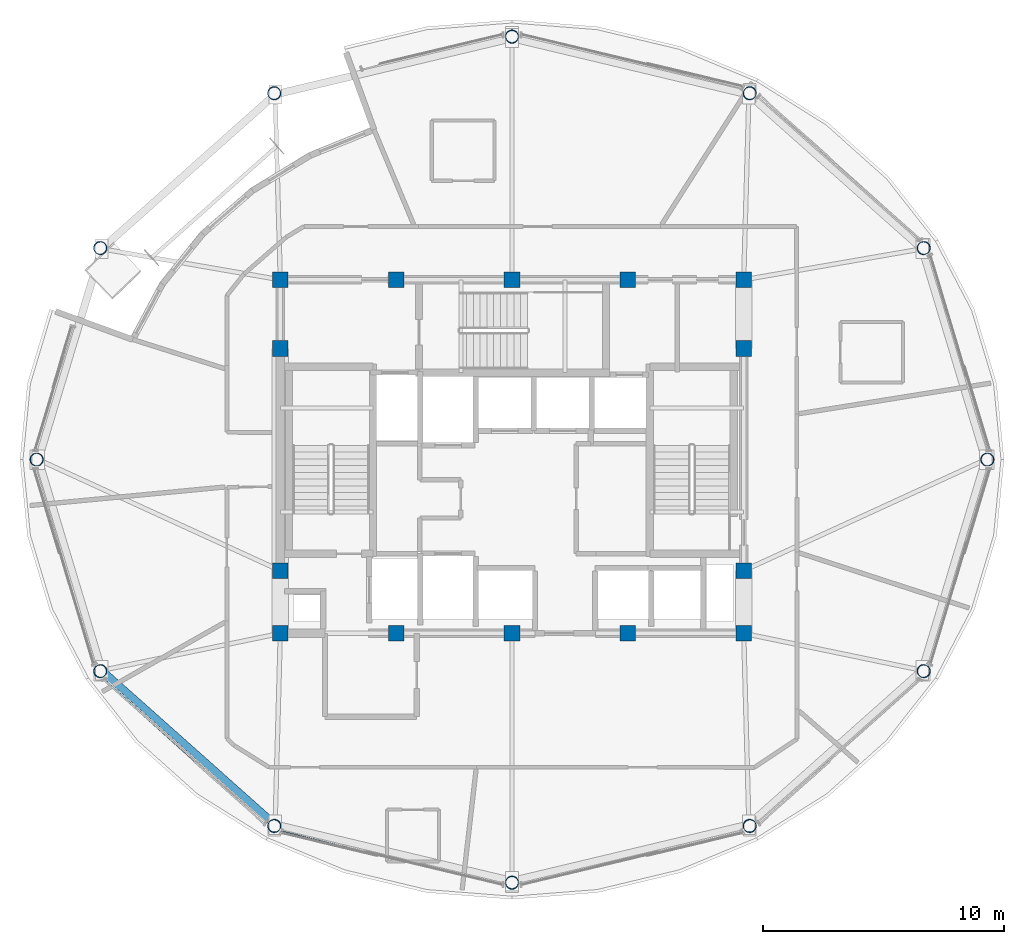
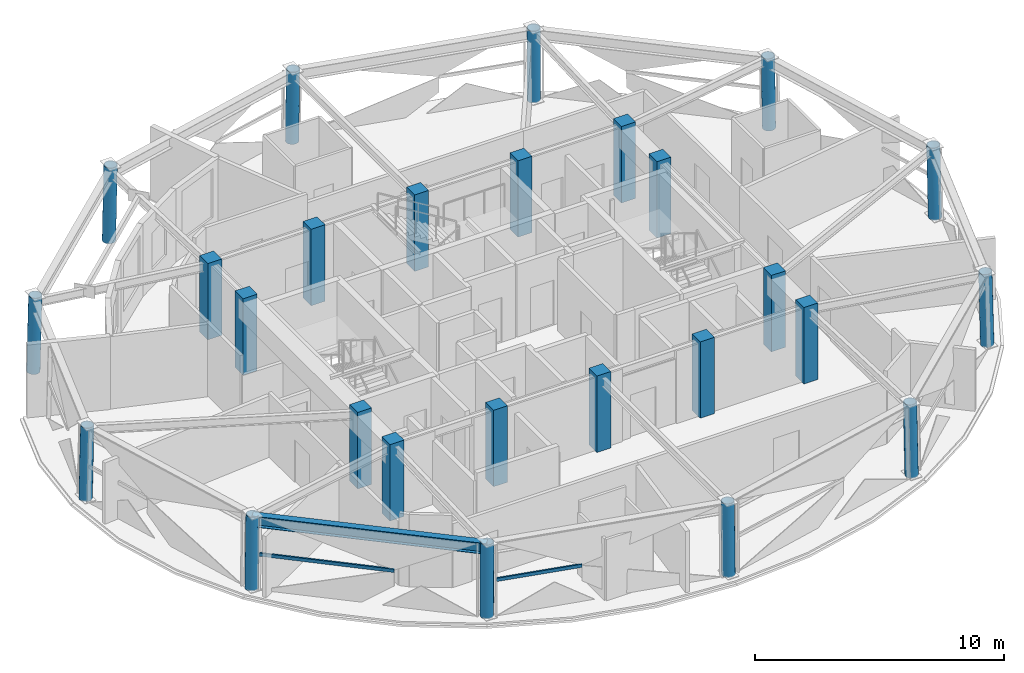
# One storey, part 1 of 14: 26 columns, 2 members, 1 beam, 2 elements without a shape of their own.
"""IFC4 building model written with IfcOpenShell, lengths in metres."""

from ifc_helpers import new_model, si_unit, direction, frame, origin, origin_2d, place, context, subcontext, project, spatial, rectangle, hollow_rectangle, hollow_circle, i_section, extrude, material, layer, layer_set, material_profile, profile_set, type_object, element, aggregate, save


model = new_model("IFC4")

# Units and contexts
model_context = context("Model", 3, precision=1e-05, world=origin(), true_north=direction((0.0, 1.0)))
body_context = subcontext(model_context, "Body", "Model", "MODEL_VIEW")
ifc_project = project(units=[si_unit("LENGTHUNIT", "METRE"), si_unit("AREAUNIT", "SQUARE_METRE"), si_unit("VOLUMEUNIT", "CUBIC_METRE"), si_unit("PLANEANGLEUNIT", "RADIAN"), si_unit("MASSUNIT", "GRAM", prefix="KILO")], contexts=[model_context])

# Site, building, storey
site_placement = place(None, origin())
site = spatial("IfcSite", under=ifc_project, at=site_placement, CompositionType="ELEMENT")
building_placement = place(site_placement, origin())
building = spatial("IfcBuilding", under=site, at=building_placement, Name="Vantalir Tower", CompositionType="ELEMENT")
storey_placement = place(building_placement, frame((0.0, 0.0, 271.35009765625)))
storey = spatial("IfcBuildingStorey", under=building, at=storey_placement, Name="L68", CompositionType="ELEMENT", Elevation=271.35009765625)

# Columns
ifc_material_1 = material(Name="Concrete C50/60", Category="concrete")
ifc_material_profile_1 = material_profile(ifc_material_1, rectangle(XDim=0.64990234375, YDim=0.64990234375, at=origin_2d()), Name="Concrete C50/60")
ifc_profile_set_1 = profile_set([ifc_material_profile_1], Name="Concrete C50/60")
column_type_1 = type_object("IfcColumnType", Name="COL-CC-650", PredefinedType="COLUMN", material=ifc_profile_set_1)
for number, where, z_axis, x_axis, name in (
    (1, (21.89990234375, 17.800048828125, 0.0), (0.0, 0.0, 1.0), (1.0, 0.0, 0.0), "L68 Core Column CC01"),
    (2, (26.699951171875, 17.800048828125, 0.0), (0.0, 0.0, 1.0), (1.0, 0.0, 0.0), "L68 Core Column CC02"),
    (3, (31.5, 17.800048828125, 0.0), (0.0, 0.0, 1.0), (1.0, 0.0, 0.0), "L68 Core Column CC03"),
    (4, (36.300048828125, 17.800048828125, 0.0), (0.0, 0.0, 1.0), (1.0, 0.0, 0.0), "L68 Core Column CC04"),
    (5, (41.10009765625, 17.800048828125, 0.0), (0.0, 0.0, 1.0), (1.0, 0.0, 0.0), "L68 Core Column CC05"),
    (6, (21.89990234375, 20.39990234375, 0.0), (0.0, 0.0, 1.0), (1.0, 0.0, 0.0), "L68 Core Column CC06"),
    (7, (21.89990234375, 29.60009765625, 0.0), (0.0, 0.0, 1.0), (1.0, 0.0, 0.0), "L68 Core Column CC07"),
    (8, (41.10009765625, 20.39990234375, 0.0), (0.0, 0.0, 1.0), (1.0, 0.0, 0.0), "L68 Core Column CC08"),
    (9, (41.10009765625, 29.60009765625, 0.0), (0.0, 0.0, 1.0), (1.0, 0.0, 0.0), "L68 Core Column CC09"),
    (10, (21.89990234375, 32.449951171875, 0.0), (0.0, 0.0, 1.0), (1.0, 0.0, 0.0), "L68 Core Column CC10"),
    (11, (26.699951171875, 32.449951171875, 0.0), (0.0, 0.0, 1.0), (1.0, 0.0, 0.0), "L68 Core Column CC11"),
    (12, (31.5, 32.449951171875, 0.0), (0.0, 0.0, 1.0), (1.0, 0.0, 0.0), "L68 Core Column CC12"),
    (13, (36.300048828125, 32.449951171875, 0.0), (0.0, 0.0, 1.0), (1.0, 0.0, 0.0), "L68 Core Column CC13"),
    (14, (41.10009765625, 32.449951171875, 0.0), (0.0, 0.0, 1.0), (1.0, 0.0, 0.0), "L68 Core Column CC14"),
):
    element("IfcColumn", number, at=place(storey_placement, frame(where, z_axis=z_axis, x_axis=x_axis)), inside=storey, type_object=column_type_1, Name=name, PredefinedType="COLUMN", context=body_context, shape_type="SweptSolid", body=[
        extrude(rectangle(XDim=0.64990234375, YDim=0.64990234375, at=origin_2d()), origin(), (0.0, 0.0, 1.0), 3.75),
    ])
ifc_material_2 = material(Name="Steel S460", Category="steel")
ifc_material_profile_2 = material_profile(ifc_material_2, hollow_circle(Radius=0.27490234375, WallThickness=0.02490234375, at=origin_2d()), Name="Steel S460")
ifc_profile_set_2 = profile_set([ifc_material_profile_2], Name="Steel S460")
column_type_2 = type_object("IfcColumnType", Name="COL-RC-550", PredefinedType="COLUMN", material=ifc_profile_set_2)
column_1_placement = place(storey_placement, frame((51.2099609375, 25.0, 0.0), z_axis=(-0.022426310188, 0.0, 0.999748498679), x_axis=(0.0, -1.0, 0.0)))
element("IfcColumn", 15, at=column_1_placement, inside=storey, type_object=column_type_2, Name="L68 Perimeter Ring Column RC01", PredefinedType="COLUMN", context=body_context, shape_type="SweptSolid", body=[
    extrude(hollow_circle(Radius=0.27490234375, WallThickness=0.02490234375, at=origin_2d()), origin(), (0.0, 0.0, 1.0), 3.57080078125),
])
for number, where, z_axis, x_axis, name in (
    (16, (48.569091796875, 33.76904296875, 0.0), (-0.019349835531, -0.009845852708, 0.999764293746), (0.453501133358, -0.891255699585, 0.0), "L68 Perimeter Ring Column RC02"),
    (17, (41.35498046875, 40.18896484375, 0.0), (-0.01121363183, -0.017093950961, 0.999791003811), (0.8361437835, -0.548510321976, 0.0), "L68 Perimeter Ring Column RC03"),
    (18, (31.5, 42.5390625, 0.0), (0.0, -0.019897578229, 0.999802023593), (1.0, 0.0, 0.0), "L68 Perimeter Ring Column RC04"),
):
    element("IfcColumn", number, at=place(storey_placement, frame(where, z_axis=z_axis, x_axis=x_axis)), inside=storey, type_object=column_type_2, Name=name, PredefinedType="COLUMN", context=body_context, shape_type="SweptSolid", body=[
        extrude(hollow_circle(Radius=0.27490234375, WallThickness=0.02490234375, at=origin_2d()), origin(), (0.0, 0.0, 1.0), 3.570556640625),
    ])
for number, where, z_axis, x_axis, name in (
    (19, (21.64501953125, 40.18896484375, 0.0), (0.010749918117, -0.0163870703, 0.999807933149), (0.8361437835, 0.548510321976, 0.0), "L68 Perimeter Ring Column RC05"),
    (20, (14.430908203125, 33.76904296875, 0.0), (0.018549708138, -0.009438720749, 0.999783385978), (0.453501133358, 0.891255699585, 0.0), "L68 Perimeter Ring Column RC06"),
):
    element("IfcColumn", number, at=place(storey_placement, frame(where, z_axis=z_axis, x_axis=x_axis)), inside=storey, type_object=column_type_2, Name=name, PredefinedType="COLUMN", context=body_context, shape_type="SweptSolid", body=[
        extrude(hollow_circle(Radius=0.27490234375, WallThickness=0.02490234375, at=origin_2d()), origin(), (0.0, 0.0, 1.0), 3.724609375),
    ])
column_2_placement = place(storey_placement, frame((11.7900390625, 25.0, 0.0), z_axis=(0.022426310188, 0.0, 0.999748498679), x_axis=(0.0, 1.0, 0.0)))
element("IfcColumn", 21, at=column_2_placement, inside=storey, type_object=column_type_2, Name="L68 Perimeter Ring Column RC07", PredefinedType="COLUMN", context=body_context, shape_type="SweptSolid", body=[
    extrude(hollow_circle(Radius=0.27490234375, WallThickness=0.02490234375, at=origin_2d()), origin(), (0.0, 0.0, 1.0), 3.57080078125),
])
for number, where, z_axis, x_axis, name in (
    (22, (14.430908203125, 16.22998046875, 0.0), (0.019349782702, 0.010119320989, 0.9997615642), (-0.463421877407, 0.886137779096, 0.0), "L68 Perimeter Ring Column RC08"),
    (23, (21.64501953125, 9.81103515625, 0.0), (0.01121363183, 0.017093950961, 0.999791003811), (-0.8361437835, 0.548510321976, 0.0), "L68 Perimeter Ring Column RC09"),
    (24, (31.5, 7.4609375, 0.0), (0.0, 0.019897578229, 0.999802023593), (-1.0, 0.0, 0.0), "L68 Perimeter Ring Column RC10"),
    (25, (41.35498046875, 9.81103515625, 0.0), (-0.01121363183, 0.017093950961, 0.999791003811), (-0.8361437835, -0.548510321976, 0.0), "L68 Perimeter Ring Column RC11"),
    (26, (48.569091796875, 16.22998046875, 0.0), (-0.019349782702, 0.010119320989, 0.9997615642), (-0.463421877407, -0.886137779096, 0.0), "L68 Perimeter Ring Column RC12"),
):
    element("IfcColumn", number, at=place(storey_placement, frame(where, z_axis=z_axis, x_axis=x_axis)), inside=storey, type_object=column_type_2, Name=name, PredefinedType="COLUMN", context=body_context, shape_type="SweptSolid", body=[
        extrude(hollow_circle(Radius=0.27490234375, WallThickness=0.02490234375, at=origin_2d()), origin(), (0.0, 0.0, 1.0), 3.570556640625),
    ])

# Beam
ifc_material_profile_3 = material_profile(ifc_material_2, i_section(OverallWidth=0.31201171875, OverallDepth=0.5419921875, WebThickness=0.0126953125, FlangeThickness=0.020263671875, at=origin_2d()), Name="Steel S460")
ifc_profile_set_3 = profile_set([ifc_material_profile_3], Name="Steel S460")
beam_type = type_object("IfcBeamType", Name="BM-RG-533x312", PredefinedType="USERDEFINED", material=ifc_profile_set_3)
beam_placement = place(storey_placement, frame((14.5, 16.26611328125, 3.298828125), z_axis=(0.747031073706, -0.664789120637, 0.0), x_axis=(0.664789120637, 0.747031073706, 0.0)))
element("IfcBeam", 27, at=beam_placement, inside=storey, type_object=beam_type, Name="L68 Circumferential Ring Girder 08", ObjectType="GIRDER", PredefinedType="USERDEFINED", context=body_context, shape_type="SweptSolid", body=[
    extrude(i_section(OverallWidth=0.31201171875, OverallDepth=0.5419921875, WebThickness=0.0126953125, FlangeThickness=0.020263671875, at=origin_2d()), origin(), (0.0, 0.0, 1.0), 9.6181640625),
])

# Curtain wall, member
ifc_material_3 = material(Name="Champagne-silver PVDF aluminium and double-silver Low-E glass", Category="aluminium")
ifc_layer = layer(ifc_material_3, 0.219970703125)
ifc_layer_set = layer_set([ifc_layer], Name="Champagne-silver PVDF aluminium and double-silver Low-E glass")
curtain_wall_type = type_object("IfcCurtainWallType", Name="CW-DIAMOND-Z4", PredefinedType="USERDEFINED", material=ifc_layer_set)
curtain_wall_1_placement = place(storey_placement, origin())
curtain_wall_1 = element("IfcCurtainWall", 28, at=curtain_wall_1_placement, inside=storey, type_object=curtain_wall_type, Name="L68 Quilted Pyramid-Diamond Curtain Wall S08", ObjectType="UNITISED CURTAIN WALL", PredefinedType="USERDEFINED")
ifc_material_4 = material(Name="Champagne-silver PVDF aluminium 6063-T6", Category="aluminium")
ifc_material_profile_4 = material_profile(ifc_material_4, hollow_rectangle(XDim=0.074951171875, YDim=0.159912109375, WallThickness=0.00390625, at=origin_2d()), Name="Champagne-silver PVDF aluminium 6063-T6")
ifc_profile_set_4 = profile_set([ifc_material_profile_4], Name="Champagne-silver PVDF aluminium 6063-T6")
member_type = type_object("IfcMemberType", Name="CWT-160x75", PredefinedType="USERDEFINED", material=ifc_profile_set_4)
member_1_placement = place(storey_placement, frame((14.592041015625, 15.89404296875, 1.784912109375), z_axis=(0.743748814372, -0.668459199294, 0.0), x_axis=(0.668459199294, 0.743748814372, 0.0)))
member_1 = element("IfcMember", 29, at=member_1_placement, type_object=member_type, Name="CW-L68-S08 Pyramid Fold Ridge Transom", ObjectType="TRANSOM", PredefinedType="USERDEFINED", context=body_context, shape_type="SweptSolid", body=[
    extrude(hollow_rectangle(XDim=0.074951171875, YDim=0.159912109375, WallThickness=0.00390625, at=origin_2d()), origin(), (0.0, 0.0, 1.0), 5.551513671875),
])
aggregate(curtain_wall_1, [member_1])

curtain_wall_2_placement = place(storey_placement, origin())
curtain_wall_2 = element("IfcCurtainWall", 30, at=curtain_wall_2_placement, inside=storey, type_object=curtain_wall_type, Name="L68 Quilted Pyramid-Diamond Curtain Wall S09", ObjectType="UNITISED CURTAIN WALL", PredefinedType="USERDEFINED")
member_2_placement = place(storey_placement, frame((21.948974609375, 9.5859375, 1.784912109375), z_axis=(0.971136976479, -0.238522478846, 0.0), x_axis=(0.238522478846, 0.971136976479, 0.0)))
member_2 = element("IfcMember", 31, at=member_2_placement, type_object=member_type, Name="CW-L68-S09 Pyramid Fold Ridge Transom", ObjectType="TRANSOM", PredefinedType="USERDEFINED", context=body_context, shape_type="SweptSolid", body=[
    extrude(hollow_rectangle(XDim=0.074951171875, YDim=0.159912109375, WallThickness=0.00390625, at=origin_2d()), origin(), (0.0, 0.0, 1.0), 3.580322265625),
])
aggregate(curtain_wall_2, [member_2])

save(model, "model.ifc")
